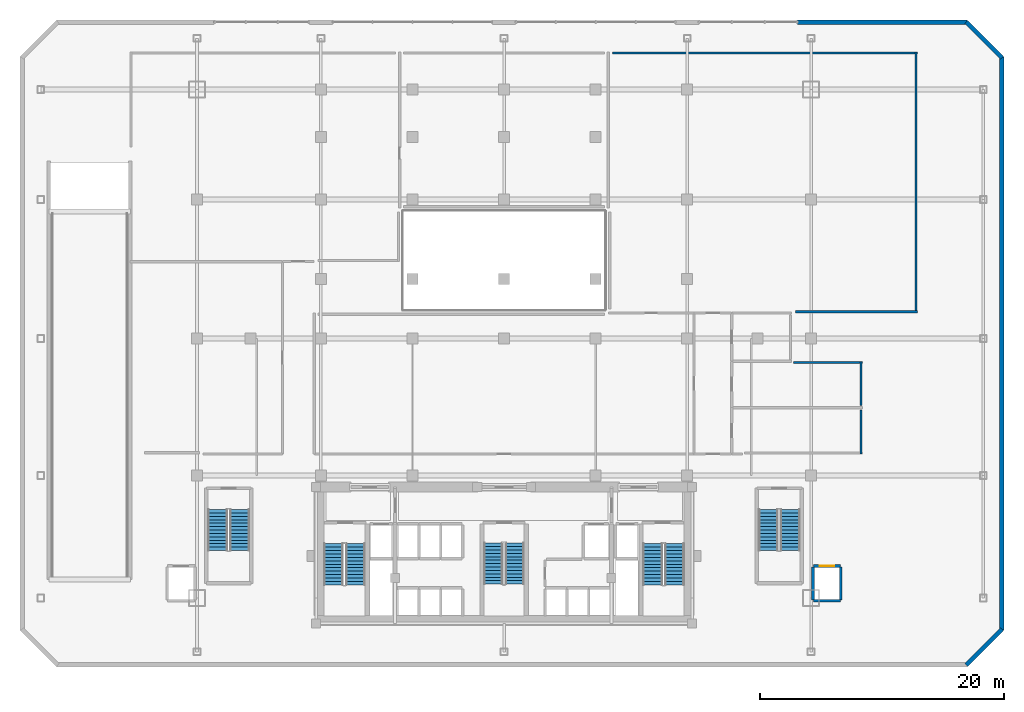
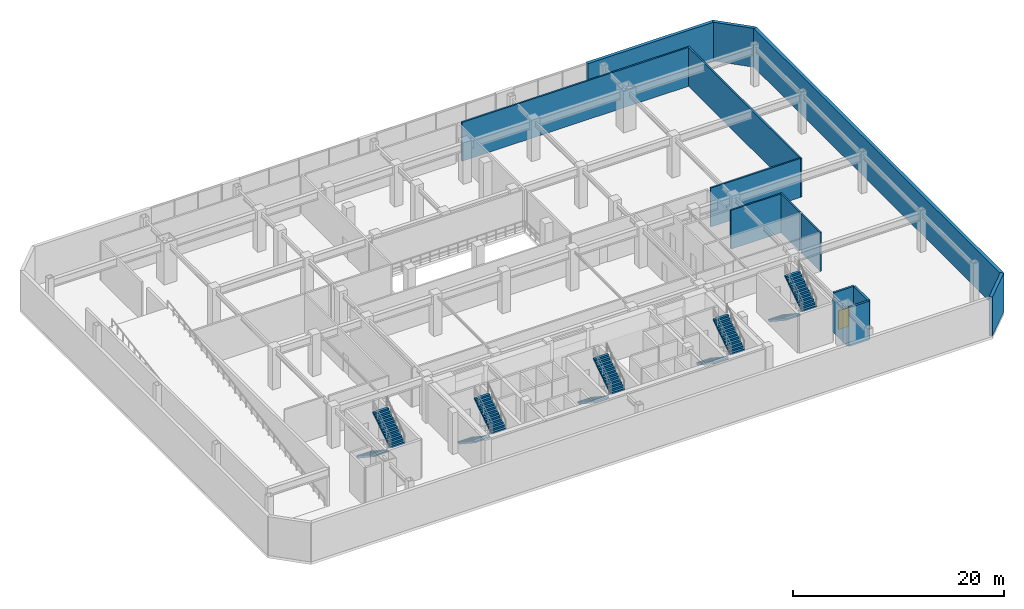
# One storey, part 13 of 15: 14 walls, 10 stair flights, 1 door, 1 opening, 5 elements without a shape of their own.
"""IFC4 building model written with IfcOpenShell, lengths in metres."""

from ifc_helpers import new_model, si_unit, direction, frame, frame_2d, origin, place, context, subcontext, project, spatial, polyline, rectangle, outline, extrude, material, layer, layer_set, type_object, element, fill, aggregate, save


model = new_model("IFC4")

# Units and contexts
model_context = context("Model", 3, precision=1e-05, world=origin(), true_north=direction((0.0, 1.0)))
body_context = subcontext(model_context, "Body", "Model", "MODEL_VIEW")
ifc_project = project(units=[si_unit("LENGTHUNIT", "METRE"), si_unit("AREAUNIT", "SQUARE_METRE"), si_unit("VOLUMEUNIT", "CUBIC_METRE"), si_unit("PLANEANGLEUNIT", "RADIAN"), si_unit("MASSUNIT", "GRAM", prefix="KILO")], contexts=[model_context])

# Site, building, storey
site_placement = place(None, origin())
site = spatial("IfcSite", under=ifc_project, at=site_placement, CompositionType="ELEMENT")
building_placement = place(site_placement, origin())
building = spatial("IfcBuilding", under=site, at=building_placement, Name="Ventersveld Concourse Tower", CompositionType="ELEMENT")
storey_placement = place(building_placement, frame((0.0, 0.0, 5.39990234375)))
storey = spatial("IfcBuildingStorey", under=building, at=storey_placement, Name="L01", CompositionType="ELEMENT", Elevation=5.39990234375)

# Walls
ifc_material_1 = material(Name="Fire-rated autoclaved aerated masonry blockwork", Category="masonry")
ifc_layer_1 = layer(ifc_material_1, 0.179931640625)
ifc_layer_set_1 = layer_set([ifc_layer_1], Name="Fire-rated autoclaved aerated masonry blockwork")
wall_type_1 = type_object("IfcWallType", Name="WL-CORR-180", PredefinedType="PARTITIONING", material=ifc_layer_set_1)
wall_1_placement = place(storey_placement, frame((52.607421875, 25.800048828125, 0.0), z_axis=(0.0, 0.0, 1.0), x_axis=(1.0, 0.0, 0.0)))
element("IfcWall", 1, at=wall_1_placement, inside=storey, type_object=wall_type_1, Name="L01 Room Enclosure Wall SP-L01-FOOD", PredefinedType="PARTITIONING", context=body_context, shape_type="SweptSolid", body=[
    extrude(rectangle(XDim=9.987548828125, YDim=0.179931640625, at=frame_2d((4.99365234375, 0.0))), origin(), (0.0, 0.0, 1.0), 4.5),
])
wall_2_placement = place(storey_placement, frame((62.5, 25.705078125, 0.0), z_axis=(0.0, 0.0, 1.0), x_axis=(0.0, 1.0, 0.0)))
element("IfcWall", 2, at=wall_2_placement, inside=storey, type_object=wall_type_1, Name="L01 Room Enclosure Wall SP-L01-FOOD", PredefinedType="PARTITIONING", context=body_context, shape_type="SweptSolid", body=[
    extrude(rectangle(XDim=21.389892578125, YDim=0.179931640625, at=frame_2d((10.69482421875, 0.0))), origin(), (0.0, 0.0, 1.0), 4.5),
])
wall_3_placement = place(storey_placement, frame((62.594970703125, 47.0, 0.0), z_axis=(0.0, 0.0, 1.0), x_axis=(-1.0, 0.0, 0.0)))
element("IfcWall", 3, at=wall_3_placement, inside=storey, type_object=wall_type_1, Name="L01 Room Enclosure Wall SP-L01-FOOD", PredefinedType="PARTITIONING", context=body_context, shape_type="SweptSolid", body=[
    extrude(rectangle(XDim=24.969970703125, YDim=0.179931640625, at=frame_2d((12.48486328125, 0.0))), origin(), (0.0, 0.0, 1.0), 4.5),
])
ifc_layer_2 = layer(ifc_material_1, 0.219970703125)
ifc_layer_set_2 = layer_set([ifc_layer_2], Name="Fire-rated autoclaved aerated masonry blockwork")
wall_type_2 = type_object("IfcWallType", Name="WL-HOIST-220", PredefinedType="SOLIDWALL", material=ifc_layer_set_2)
wall_4_placement = place(storey_placement, frame((54.10009765625, 2.139892578125, 0.0), z_axis=(0.0, 0.0, 1.0), x_axis=(1.0, 0.0, 0.0)))
element("IfcWall", 4, at=wall_4_placement, inside=storey, type_object=wall_type_2, Name="L01 Lift Hoistway Back Wall SL-02", PredefinedType="SOLIDWALL", context=body_context, shape_type="SweptSolid", body=[
    extrude(rectangle(XDim=2.199951171875, YDim=0.219970703125, at=frame_2d((1.10009765625, 0.0))), origin(), (0.0, 0.0, 1.0), 4.5),
])
wall_5_placement = place(storey_placement, frame((54.06005859375, 2.199951171875, 0.0), z_axis=(0.0, 0.0, 1.0), x_axis=(0.0, 1.0, 0.0)))
element("IfcWall", 5, at=wall_5_placement, inside=storey, type_object=wall_type_2, Name="L01 Lift Hoistway Side Wall SL-02W", PredefinedType="SOLIDWALL", context=body_context, shape_type="SweptSolid", body=[
    extrude(rectangle(XDim=2.699951171875, YDim=0.219970703125, at=frame_2d((1.35009765625, 0.0))), origin(), (0.0, 0.0, 1.0), 3.967041015625),
])
wall_6_placement = place(storey_placement, frame((56.340087890625, 2.199951171875, 0.0), z_axis=(0.0, 0.0, 1.0), x_axis=(0.0, 1.0, 0.0)))
element("IfcWall", 6, at=wall_6_placement, inside=storey, type_object=wall_type_2, Name="L01 Lift Hoistway Side Wall SL-02E", PredefinedType="SOLIDWALL", context=body_context, shape_type="SweptSolid", body=[
    extrude(rectangle(XDim=2.699951171875, YDim=0.219970703125, at=frame_2d((1.35009765625, 0.0))), origin(), (0.0, 0.0, 1.0), 4.5),
])

# Wall, opening, door
wall_7_placement = place(storey_placement, frame((54.080078125, 4.97998046875, 0.0), z_axis=(0.0, 0.0, 1.0), x_axis=(1.0, 0.0, 0.0)))
wall_7 = element("IfcWall", 7, at=wall_7_placement, inside=storey, type_object=wall_type_2, Name="L01 Lift Hoistway Front Wall SL-02", PredefinedType="SOLIDWALL", context=body_context, shape_type="SweptSolid", body=[
    extrude(rectangle(XDim=2.239990234375, YDim=0.219970703125, at=frame_2d((1.1201171875, 0.0))), origin(), (0.0, 0.0, 1.0), 4.5),
])
opening_placement = place(wall_7_placement, frame((0.530029296875, 0.0, 0.0)))
opening = element("IfcOpeningElement", 8, at=opening_placement, cuts=wall_7, Name="Opening LD2", PredefinedType="OPENING", context=body_context, shape_type="SweptSolid", body=[
    extrude(rectangle(XDim=1.179931640625, YDim=2.199951171875, at=frame_2d((0.58984375, 1.10009765625))), frame((0.0, 0.1201171875, 0.0), z_axis=(0.0, -1.0, 0.0), x_axis=(1.0, 0.0, 0.0)), (0.0, 0.0, 1.0), 0.239990234375),
])
ifc_material_2 = material(Name="Brushed stainless steel 316", Category="steel")
door_type = type_object("IfcDoorType", Name="LD-PAX-118", OperationType="SLIDING_TO_LEFT", PredefinedType="DOOR", material=ifc_material_2)
door_placement = place(opening_placement, origin())
door = element("IfcDoor", 9, at=door_placement, inside=storey, type_object=door_type, Name="L01 Lift landing door SL-02 (LD-L01-SL-02)", OperationType="SLIDING_TO_LEFT", OverallHeight=2.199951171875, OverallWidth=1.179931640625, PredefinedType="DOOR", context=body_context, shape_type="SweptSolid", body=[
    extrude(rectangle(XDim=1.179931640625, YDim=2.199951171875, at=frame_2d((0.58984375, 1.10009765625))), frame((0.0, 0.02490234375, 0.0), z_axis=(0.0, -1.0, 0.0), x_axis=(1.0, 0.0, 0.0)), (0.0, 0.0, 1.0), 0.050048828125),
])
fill(opening, door)

# Walls
ifc_material_3 = material(Name="Precast concrete C45/55", Category="concrete")
ifc_layer_3 = layer(ifc_material_3, 0.35009765625)
ifc_layer_set_3 = layer_set([ifc_layer_3], Name="Precast concrete C45/55")
wall_type_3 = type_object("IfcWallType", Name="WL-PREC-350", PredefinedType="SOLIDWALL", material=ifc_layer_set_3)
wall_8_placement = place(storey_placement, frame((66.60107421875, -3.144287109375, 0.0), z_axis=(0.0, 0.0, 1.0), x_axis=(0.707106781187, 0.707106781187, 0.0)))
element("IfcWall", 10, at=wall_8_placement, inside=storey, type_object=wall_type_3, Name="L01 Podium Precast Perimeter Wall 02", PredefinedType="SOLIDWALL", context=body_context, shape_type="SweptSolid", body=[
    extrude(rectangle(XDim=4.16259765625, YDim=0.35009765625, at=frame_2d((2.081298828125, 0.0))), origin(), (0.0, 0.0, 1.0), 4.5),
])
wall_9_placement = place(storey_placement, frame((69.52001953125, -0.260009765625, 0.0), z_axis=(0.0, 0.0, 1.0), x_axis=(0.0, 1.0, 0.0)))
element("IfcWall", 11, at=wall_9_placement, inside=storey, type_object=wall_type_3, Name="L01 Podium Precast Perimeter Wall 03", PredefinedType="SOLIDWALL", context=body_context, shape_type="SweptSolid", body=[
    extrude(rectangle(XDim=46.919921875, YDim=0.35009765625, at=frame_2d((23.4599609375, 0.0))), origin(), (0.0, 0.0, 1.0), 4.5),
])
wall_10_placement = place(storey_placement, frame((69.54443359375, 46.60107421875, 0.0), z_axis=(0.0, 0.0, 1.0), x_axis=(-0.707106781187, 0.707106781187, 0.0)))
element("IfcWall", 12, at=wall_10_placement, inside=storey, type_object=wall_type_3, Name="L01 Podium Precast Perimeter Wall 04", PredefinedType="SOLIDWALL", context=body_context, shape_type="SweptSolid", body=[
    extrude(rectangle(XDim=4.16259765625, YDim=0.35009765625, at=frame_2d((2.081298828125, 0.0))), origin(), (0.0, 0.0, 1.0), 4.5),
])
wall_11_placement = place(storey_placement, frame((52.800048828125, 49.52001953125, 0.0), z_axis=(0.0, 0.0, 1.0), x_axis=(1.0, 0.0, 0.0)))
element("IfcWall", 13, at=wall_11_placement, inside=storey, type_object=wall_type_3, Name="L01 North Precast Pier NE", PredefinedType="SOLIDWALL", context=body_context, shape_type="SweptSolid", body=[
    extrude(rectangle(XDim=13.85986328125, YDim=0.35009765625, at=frame_2d((6.929931640625, 0.0))), origin(), (0.0, 0.0, 1.0), 4.5),
])
ifc_material_4 = material(Name="Autoclaved aerated masonry blockwork", Category="masonry")
ifc_layer_4 = layer(ifc_material_4, 0.1650390625)
ifc_layer_set_4 = layer_set([ifc_layer_4], Name="Autoclaved aerated masonry blockwork")
wall_type_4 = type_object("IfcWallType", Name="WL-WET-165", PredefinedType="PLUMBINGWALL", material=ifc_layer_set_4)
wall_12_placement = place(storey_placement, frame((58.0, 14.155029296875, 0.0), z_axis=(0.0, 0.0, 1.0), x_axis=(0.0, 1.0, 0.0)))
element("IfcWall", 14, at=wall_12_placement, inside=storey, type_object=wall_type_4, Name="L01 Room Enclosure Wall SP-L01-MWC", PredefinedType="PLUMBINGWALL", context=body_context, shape_type="SweptSolid", body=[
    extrude(rectangle(XDim=3.619873046875, YDim=0.1650390625, at=frame_2d((1.81005859375, 0.0))), origin(), (0.0, 0.0, 1.0), 4.5),
])
wall_13_placement = place(storey_placement, frame((58.0, 18.10498046875, 0.0), z_axis=(0.0, 0.0, 1.0), x_axis=(0.0, 1.0, 0.0)))
element("IfcWall", 15, at=wall_13_placement, inside=storey, type_object=wall_type_4, Name="L01 Room Enclosure Wall SP-L01-FWC", PredefinedType="PLUMBINGWALL", context=body_context, shape_type="SweptSolid", body=[
    extrude(rectangle(XDim=3.64013671875, YDim=0.1650390625, at=frame_2d((1.820068359375, 0.0))), origin(), (0.0, 0.0, 1.0), 4.5),
])
wall_14_placement = place(storey_placement, frame((58.094970703125, 21.64990234375, 0.0), z_axis=(0.0, 0.0, 1.0), x_axis=(-1.0, 0.0, 0.0)))
element("IfcWall", 16, at=wall_14_placement, inside=storey, type_object=wall_type_4, Name="L01 Room Enclosure Wall SP-L01-FWC", PredefinedType="PLUMBINGWALL", context=body_context, shape_type="SweptSolid", body=[
    extrude(rectangle(XDim=5.6513671875, YDim=0.1650390625, at=frame_2d((2.82568359375, 0.0))), origin(), (0.0, 0.0, 1.0), 4.5),
])

# Stair, stair flights
ifc_material_5 = material(Name="Concrete C50/60", Category="concrete")
stair_type_1 = type_object("IfcStairType", Name="ST-DOG-155", PredefinedType="HALF_TURN_STAIR", material=ifc_material_5)
stair_1_placement = place(storey_placement, origin())
stair_1 = element("IfcStair", 17, at=stair_1_placement, inside=storey, type_object=stair_type_1, Name="L01 Protected Central Core Escape Stair ST-03", PredefinedType="HALF_TURN_STAIR")
stair_flight_type_1 = type_object("IfcStairFlightType", Name="STF-RC-155", PredefinedType="STRAIGHT", material=ifc_material_5)
stair_flight_1_placement = place(storey_placement, frame((27.875, 6.85009765625, 0.0), z_axis=(0.0, 0.0, 1.0), x_axis=(0.0, -1.0, 0.0)))
stair_flight_1 = element("IfcStairFlight", 18, at=stair_flight_1_placement, type_object=stair_flight_type_1, Name="ST-03 flight 1", NumberOfRisers=13, NumberOfTreads=12, PredefinedType="STRAIGHT", RiserHeight=0.184615385, TreadLength=0.28, context=body_context, shape_type="SweptSolid", body=[
    extrude(outline(polyline([(0.0, 0.0), (0.0, 0.1845703125), (0.280029296875, 0.1845703125), (0.280029296875, 0.369140625), (0.56005859375, 0.369140625), (0.56005859375, 0.553955078125), (0.840087890625, 0.553955078125), (0.840087890625, 0.738525390625), (1.1201171875, 0.738525390625), (1.1201171875, 0.923095703125), (1.39990234375, 0.923095703125), (1.39990234375, 1.107666015625), (1.679931640625, 1.107666015625), (1.679931640625, 1.292236328125), (1.9599609375, 1.292236328125), (1.9599609375, 1.476806640625), (2.239990234375, 1.476806640625), (2.239990234375, 1.66162109375), (2.52001953125, 1.66162109375), (2.52001953125, 1.84619140625), (2.800048828125, 1.84619140625), (2.800048828125, 2.03076171875), (3.080078125, 2.03076171875), (3.080078125, 2.21533203125), (3.360107421875, 2.21533203125), (3.360107421875, 2.39990234375), (3.360107421875, 2.035888671875), (0.272216796875, 0.0), (0.0, 0.0)])), frame((0.0, 0.77490234375, 0.0), z_axis=(0.0, -1.0, 0.0), x_axis=(1.0, 0.0, 0.0)), (0.0, 0.0, 1.0), 1.550048828125),
])
stair_flight_2_placement = place(storey_placement, frame((29.625, 3.489990234375, 2.400146484375), z_axis=(0.0, 0.0, 1.0), x_axis=(0.0, 1.0, 0.0)))
stair_flight_2 = element("IfcStairFlight", 19, at=stair_flight_2_placement, type_object=stair_flight_type_1, Name="ST-03 flight 2", NumberOfRisers=13, NumberOfTreads=12, PredefinedType="STRAIGHT", RiserHeight=0.184615385, TreadLength=0.28, context=body_context, shape_type="SweptSolid", body=[
    extrude(outline(polyline([(0.0, 0.0), (0.0, 0.1845703125), (0.280029296875, 0.1845703125), (0.280029296875, 0.369140625), (0.56005859375, 0.369140625), (0.56005859375, 0.553955078125), (0.840087890625, 0.553955078125), (0.840087890625, 0.738525390625), (1.1201171875, 0.738525390625), (1.1201171875, 0.923095703125), (1.39990234375, 0.923095703125), (1.39990234375, 1.107666015625), (1.679931640625, 1.107666015625), (1.679931640625, 1.292236328125), (1.9599609375, 1.292236328125), (1.9599609375, 1.476806640625), (2.239990234375, 1.476806640625), (2.239990234375, 1.66162109375), (2.52001953125, 1.66162109375), (2.52001953125, 1.84619140625), (2.800048828125, 1.84619140625), (2.800048828125, 2.03076171875), (3.080078125, 2.03076171875), (3.080078125, 2.21533203125), (3.360107421875, 2.21533203125), (3.360107421875, 2.39990234375), (3.360107421875, 2.035888671875), (0.272216796875, 0.0), (0.0, 0.0)])), frame((0.0, 0.77490234375, 0.0), z_axis=(0.0, -1.0, 0.0), x_axis=(1.0, 0.0, 0.0)), (0.0, 0.0, 1.0), 1.550048828125),
])
aggregate(stair_1, [stair_flight_1, stair_flight_2])

stair_type_2 = type_object("IfcStairType", Name="ST-DOG-160", PredefinedType="HALF_TURN_STAIR", material=ifc_material_5)
stair_2_placement = place(storey_placement, origin())
stair_2 = element("IfcStair", 20, at=stair_2_placement, inside=storey, type_object=stair_type_2, Name="L01 Protected Tower Escape Stair ST-01", PredefinedType="HALF_TURN_STAIR")
stair_flight_type_2 = type_object("IfcStairFlightType", Name="STF-RC-160", PredefinedType="STRAIGHT", material=ifc_material_5)
stair_flight_3_placement = place(storey_placement, frame((14.780029296875, 6.800048828125, 0.0), z_axis=(0.0, 0.0, 1.0), x_axis=(0.0, -1.0, 0.0)))
stair_flight_3 = element("IfcStairFlight", 21, at=stair_flight_3_placement, type_object=stair_flight_type_2, Name="ST-01 flight 1", NumberOfRisers=13, NumberOfTreads=12, PredefinedType="STRAIGHT", RiserHeight=0.184615385, TreadLength=0.28, context=body_context, shape_type="SweptSolid", body=[
    extrude(outline(polyline([(0.0, 0.0), (0.0, 0.1845703125), (0.280029296875, 0.1845703125), (0.280029296875, 0.369140625), (0.56005859375, 0.369140625), (0.56005859375, 0.553955078125), (0.840087890625, 0.553955078125), (0.840087890625, 0.738525390625), (1.1201171875, 0.738525390625), (1.1201171875, 0.923095703125), (1.39990234375, 0.923095703125), (1.39990234375, 1.107666015625), (1.679931640625, 1.107666015625), (1.679931640625, 1.292236328125), (1.9599609375, 1.292236328125), (1.9599609375, 1.476806640625), (2.239990234375, 1.476806640625), (2.239990234375, 1.66162109375), (2.52001953125, 1.66162109375), (2.52001953125, 1.84619140625), (2.800048828125, 1.84619140625), (2.800048828125, 2.03076171875), (3.080078125, 2.03076171875), (3.080078125, 2.21533203125), (3.360107421875, 2.21533203125), (3.360107421875, 2.39990234375), (3.360107421875, 2.035888671875), (0.272216796875, 0.0), (0.0, 0.0)])), frame((0.0, 0.800048828125, 0.0), z_axis=(0.0, -1.0, 0.0), x_axis=(1.0, 0.0, 0.0)), (0.0, 0.0, 1.0), 1.60009765625),
])
stair_flight_4_placement = place(storey_placement, frame((16.580078125, 3.43994140625, 2.400146484375), z_axis=(0.0, 0.0, 1.0), x_axis=(0.0, 1.0, 0.0)))
stair_flight_4 = element("IfcStairFlight", 22, at=stair_flight_4_placement, type_object=stair_flight_type_2, Name="ST-01 flight 2", NumberOfRisers=13, NumberOfTreads=12, PredefinedType="STRAIGHT", RiserHeight=0.184615385, TreadLength=0.28, context=body_context, shape_type="SweptSolid", body=[
    extrude(outline(polyline([(0.0, 0.0), (0.0, 0.1845703125), (0.280029296875, 0.1845703125), (0.280029296875, 0.369140625), (0.56005859375, 0.369140625), (0.56005859375, 0.553955078125), (0.840087890625, 0.553955078125), (0.840087890625, 0.738525390625), (1.1201171875, 0.738525390625), (1.1201171875, 0.923095703125), (1.39990234375, 0.923095703125), (1.39990234375, 1.107666015625), (1.679931640625, 1.107666015625), (1.679931640625, 1.292236328125), (1.9599609375, 1.292236328125), (1.9599609375, 1.476806640625), (2.239990234375, 1.476806640625), (2.239990234375, 1.66162109375), (2.52001953125, 1.66162109375), (2.52001953125, 1.84619140625), (2.800048828125, 1.84619140625), (2.800048828125, 2.03076171875), (3.080078125, 2.03076171875), (3.080078125, 2.21533203125), (3.360107421875, 2.21533203125), (3.360107421875, 2.39990234375), (3.360107421875, 2.035888671875), (0.272216796875, 0.0), (0.0, 0.0)])), frame((0.0, 0.800048828125, 0.0), z_axis=(0.0, -1.0, 0.0), x_axis=(1.0, 0.0, 0.0)), (0.0, 0.0, 1.0), 1.60009765625),
])
aggregate(stair_2, [stair_flight_3, stair_flight_4])

stair_3_placement = place(storey_placement, origin())
stair_3 = element("IfcStair", 23, at=stair_3_placement, inside=storey, type_object=stair_type_2, Name="L01 Protected Tower Escape Stair ST-02", PredefinedType="HALF_TURN_STAIR")
stair_flight_5_placement = place(storey_placement, frame((40.919921875, 6.800048828125, 0.0), z_axis=(0.0, 0.0, 1.0), x_axis=(0.0, -1.0, 0.0)))
stair_flight_5 = element("IfcStairFlight", 24, at=stair_flight_5_placement, type_object=stair_flight_type_2, Name="ST-02 flight 1", NumberOfRisers=13, NumberOfTreads=12, PredefinedType="STRAIGHT", RiserHeight=0.184615385, TreadLength=0.28, context=body_context, shape_type="SweptSolid", body=[
    extrude(outline(polyline([(0.0, 0.0), (0.0, 0.1845703125), (0.280029296875, 0.1845703125), (0.280029296875, 0.369140625), (0.56005859375, 0.369140625), (0.56005859375, 0.553955078125), (0.840087890625, 0.553955078125), (0.840087890625, 0.738525390625), (1.1201171875, 0.738525390625), (1.1201171875, 0.923095703125), (1.39990234375, 0.923095703125), (1.39990234375, 1.107666015625), (1.679931640625, 1.107666015625), (1.679931640625, 1.292236328125), (1.9599609375, 1.292236328125), (1.9599609375, 1.476806640625), (2.239990234375, 1.476806640625), (2.239990234375, 1.66162109375), (2.52001953125, 1.66162109375), (2.52001953125, 1.84619140625), (2.800048828125, 1.84619140625), (2.800048828125, 2.03076171875), (3.080078125, 2.03076171875), (3.080078125, 2.21533203125), (3.360107421875, 2.21533203125), (3.360107421875, 2.39990234375), (3.360107421875, 2.035888671875), (0.272216796875, 0.0), (0.0, 0.0)])), frame((0.0, 0.800048828125, 0.0), z_axis=(0.0, -1.0, 0.0), x_axis=(1.0, 0.0, 0.0)), (0.0, 0.0, 1.0), 1.60009765625),
])
stair_flight_6_placement = place(storey_placement, frame((42.719970703125, 3.43994140625, 2.400146484375), z_axis=(0.0, 0.0, 1.0), x_axis=(0.0, 1.0, 0.0)))
stair_flight_6 = element("IfcStairFlight", 25, at=stair_flight_6_placement, type_object=stair_flight_type_2, Name="ST-02 flight 2", NumberOfRisers=13, NumberOfTreads=12, PredefinedType="STRAIGHT", RiserHeight=0.184615385, TreadLength=0.28, context=body_context, shape_type="SweptSolid", body=[
    extrude(outline(polyline([(0.0, 0.0), (0.0, 0.1845703125), (0.280029296875, 0.1845703125), (0.280029296875, 0.369140625), (0.56005859375, 0.369140625), (0.56005859375, 0.553955078125), (0.840087890625, 0.553955078125), (0.840087890625, 0.738525390625), (1.1201171875, 0.738525390625), (1.1201171875, 0.923095703125), (1.39990234375, 0.923095703125), (1.39990234375, 1.107666015625), (1.679931640625, 1.107666015625), (1.679931640625, 1.292236328125), (1.9599609375, 1.292236328125), (1.9599609375, 1.476806640625), (2.239990234375, 1.476806640625), (2.239990234375, 1.66162109375), (2.52001953125, 1.66162109375), (2.52001953125, 1.84619140625), (2.800048828125, 1.84619140625), (2.800048828125, 2.03076171875), (3.080078125, 2.03076171875), (3.080078125, 2.21533203125), (3.360107421875, 2.21533203125), (3.360107421875, 2.39990234375), (3.360107421875, 2.035888671875), (0.272216796875, 0.0), (0.0, 0.0)])), frame((0.0, 0.800048828125, 0.0), z_axis=(0.0, -1.0, 0.0), x_axis=(1.0, 0.0, 0.0)), (0.0, 0.0, 1.0), 1.60009765625),
])
aggregate(stair_3, [stair_flight_5, stair_flight_6])

stair_4_placement = place(storey_placement, origin())
stair_4 = element("IfcStair", 26, at=stair_4_placement, inside=storey, type_object=stair_type_2, Name="L01 Station Concourse West Escape Stair ST-04", PredefinedType="HALF_TURN_STAIR")
stair_flight_7_placement = place(storey_placement, frame((5.300048828125, 9.60009765625, 0.0), z_axis=(0.0, 0.0, 1.0), x_axis=(0.0, -1.0, 0.0)))
stair_flight_7 = element("IfcStairFlight", 27, at=stair_flight_7_placement, type_object=stair_flight_type_2, Name="ST-04 flight 1", NumberOfRisers=13, NumberOfTreads=12, PredefinedType="STRAIGHT", RiserHeight=0.184615385, TreadLength=0.28, context=body_context, shape_type="SweptSolid", body=[
    extrude(outline(polyline([(0.0, 0.0), (0.0, 0.1845703125), (0.280029296875, 0.1845703125), (0.280029296875, 0.369140625), (0.56005859375, 0.369140625), (0.56005859375, 0.553955078125), (0.840087890625, 0.553955078125), (0.840087890625, 0.738525390625), (1.1201171875, 0.738525390625), (1.1201171875, 0.923095703125), (1.39990234375, 0.923095703125), (1.39990234375, 1.107666015625), (1.679931640625, 1.107666015625), (1.679931640625, 1.292236328125), (1.9599609375, 1.292236328125), (1.9599609375, 1.476806640625), (2.239990234375, 1.476806640625), (2.239990234375, 1.66162109375), (2.52001953125, 1.66162109375), (2.52001953125, 1.84619140625), (2.800048828125, 1.84619140625), (2.800048828125, 2.03076171875), (3.080078125, 2.03076171875), (3.080078125, 2.21533203125), (3.360107421875, 2.21533203125), (3.360107421875, 2.39990234375), (3.360107421875, 2.035888671875), (0.272216796875, 0.0), (0.0, 0.0)])), frame((0.0, 0.800048828125, 0.0), z_axis=(0.0, -1.0, 0.0), x_axis=(1.0, 0.0, 0.0)), (0.0, 0.0, 1.0), 1.60009765625),
])
stair_flight_8_placement = place(storey_placement, frame((7.10009765625, 6.239990234375, 2.400146484375), z_axis=(0.0, 0.0, 1.0), x_axis=(0.0, 1.0, 0.0)))
stair_flight_8 = element("IfcStairFlight", 28, at=stair_flight_8_placement, type_object=stair_flight_type_2, Name="ST-04 flight 2", NumberOfRisers=13, NumberOfTreads=12, PredefinedType="STRAIGHT", RiserHeight=0.184615385, TreadLength=0.28, context=body_context, shape_type="SweptSolid", body=[
    extrude(outline(polyline([(0.0, 0.0), (0.0, 0.1845703125), (0.280029296875, 0.1845703125), (0.280029296875, 0.369140625), (0.56005859375, 0.369140625), (0.56005859375, 0.553955078125), (0.840087890625, 0.553955078125), (0.840087890625, 0.738525390625), (1.1201171875, 0.738525390625), (1.1201171875, 0.923095703125), (1.39990234375, 0.923095703125), (1.39990234375, 1.107666015625), (1.679931640625, 1.107666015625), (1.679931640625, 1.292236328125), (1.9599609375, 1.292236328125), (1.9599609375, 1.476806640625), (2.239990234375, 1.476806640625), (2.239990234375, 1.66162109375), (2.52001953125, 1.66162109375), (2.52001953125, 1.84619140625), (2.800048828125, 1.84619140625), (2.800048828125, 2.03076171875), (3.080078125, 2.03076171875), (3.080078125, 2.21533203125), (3.360107421875, 2.21533203125), (3.360107421875, 2.39990234375), (3.360107421875, 2.035888671875), (0.272216796875, 0.0), (0.0, 0.0)])), frame((0.0, 0.800048828125, 0.0), z_axis=(0.0, -1.0, 0.0), x_axis=(1.0, 0.0, 0.0)), (0.0, 0.0, 1.0), 1.60009765625),
])
aggregate(stair_4, [stair_flight_7, stair_flight_8])

stair_5_placement = place(storey_placement, origin())
stair_5 = element("IfcStair", 29, at=stair_5_placement, inside=storey, type_object=stair_type_2, Name="L01 Station Concourse East Escape Stair ST-05", PredefinedType="HALF_TURN_STAIR")
stair_flight_9_placement = place(storey_placement, frame((50.39990234375, 9.60009765625, 0.0), z_axis=(0.0, 0.0, 1.0), x_axis=(0.0, -1.0, 0.0)))
stair_flight_9 = element("IfcStairFlight", 30, at=stair_flight_9_placement, type_object=stair_flight_type_2, Name="ST-05 flight 1", NumberOfRisers=13, NumberOfTreads=12, PredefinedType="STRAIGHT", RiserHeight=0.184615385, TreadLength=0.28, context=body_context, shape_type="SweptSolid", body=[
    extrude(outline(polyline([(0.0, 0.0), (0.0, 0.1845703125), (0.280029296875, 0.1845703125), (0.280029296875, 0.369140625), (0.56005859375, 0.369140625), (0.56005859375, 0.553955078125), (0.840087890625, 0.553955078125), (0.840087890625, 0.738525390625), (1.1201171875, 0.738525390625), (1.1201171875, 0.923095703125), (1.39990234375, 0.923095703125), (1.39990234375, 1.107666015625), (1.679931640625, 1.107666015625), (1.679931640625, 1.292236328125), (1.9599609375, 1.292236328125), (1.9599609375, 1.476806640625), (2.239990234375, 1.476806640625), (2.239990234375, 1.66162109375), (2.52001953125, 1.66162109375), (2.52001953125, 1.84619140625), (2.800048828125, 1.84619140625), (2.800048828125, 2.03076171875), (3.080078125, 2.03076171875), (3.080078125, 2.21533203125), (3.360107421875, 2.21533203125), (3.360107421875, 2.39990234375), (3.360107421875, 2.035888671875), (0.272216796875, 0.0), (0.0, 0.0)])), frame((0.0, 0.800048828125, 0.0), z_axis=(0.0, -1.0, 0.0), x_axis=(1.0, 0.0, 0.0)), (0.0, 0.0, 1.0), 1.60009765625),
])
stair_flight_10_placement = place(storey_placement, frame((52.199951171875, 6.239990234375, 2.400146484375), z_axis=(0.0, 0.0, 1.0), x_axis=(0.0, 1.0, 0.0)))
stair_flight_10 = element("IfcStairFlight", 31, at=stair_flight_10_placement, type_object=stair_flight_type_2, Name="ST-05 flight 2", NumberOfRisers=13, NumberOfTreads=12, PredefinedType="STRAIGHT", RiserHeight=0.184615385, TreadLength=0.28, context=body_context, shape_type="SweptSolid", body=[
    extrude(outline(polyline([(0.0, 0.0), (0.0, 0.1845703125), (0.280029296875, 0.1845703125), (0.280029296875, 0.369140625), (0.56005859375, 0.369140625), (0.56005859375, 0.553955078125), (0.840087890625, 0.553955078125), (0.840087890625, 0.738525390625), (1.1201171875, 0.738525390625), (1.1201171875, 0.923095703125), (1.39990234375, 0.923095703125), (1.39990234375, 1.107666015625), (1.679931640625, 1.107666015625), (1.679931640625, 1.292236328125), (1.9599609375, 1.292236328125), (1.9599609375, 1.476806640625), (2.239990234375, 1.476806640625), (2.239990234375, 1.66162109375), (2.52001953125, 1.66162109375), (2.52001953125, 1.84619140625), (2.800048828125, 1.84619140625), (2.800048828125, 2.03076171875), (3.080078125, 2.03076171875), (3.080078125, 2.21533203125), (3.360107421875, 2.21533203125), (3.360107421875, 2.39990234375), (3.360107421875, 2.035888671875), (0.272216796875, 0.0), (0.0, 0.0)])), frame((0.0, 0.800048828125, 0.0), z_axis=(0.0, -1.0, 0.0), x_axis=(1.0, 0.0, 0.0)), (0.0, 0.0, 1.0), 1.60009765625),
])
aggregate(stair_5, [stair_flight_9, stair_flight_10])

save(model, "model.ifc")
